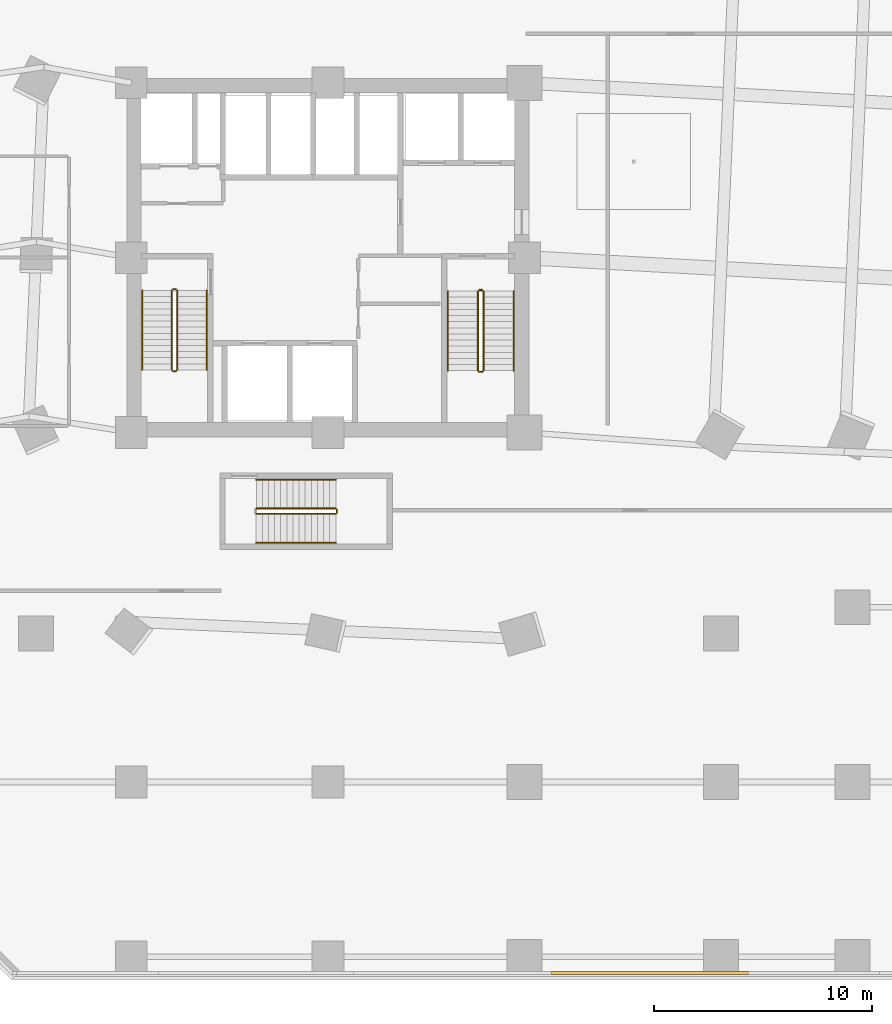
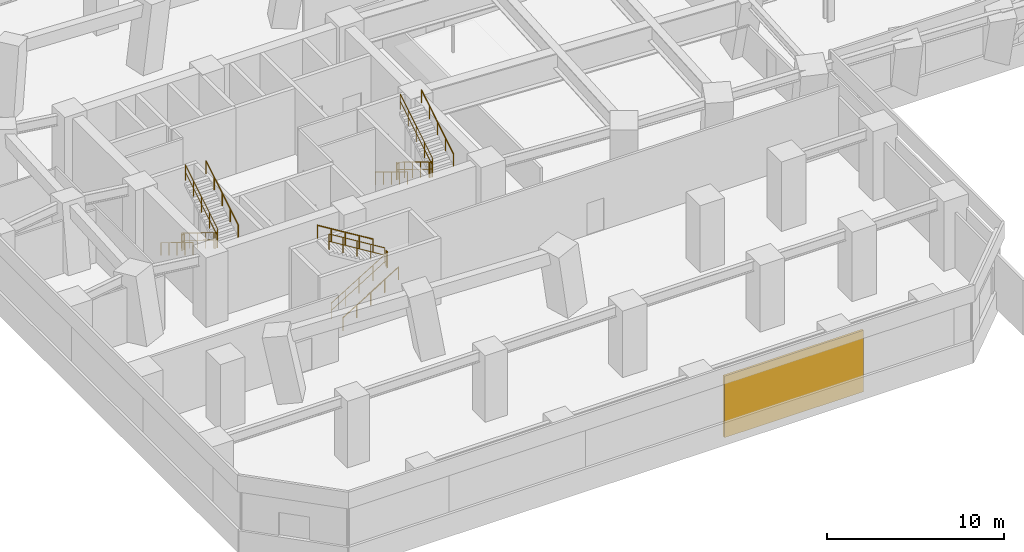
# One storey, part 11 of 14: 17 railings, 1 covering.
"""IFC4 building model written with IfcOpenShell, lengths in metres."""

from ifc_helpers import new_model, si_unit, direction, frame, origin, origin_2d, place, context, subcontext, project, spatial, rectangle, circle, extrude, source, transform, mapped, material, layer, layer_set, type_object, element, save


model = new_model("IFC4")

# Units and contexts
model_context = context("Model", 3, precision=1e-05, world=origin(), true_north=direction((0.0, 1.0)))
body_context = subcontext(model_context, "Body", "Model", "MODEL_VIEW")
ifc_project = project(units=[si_unit("LENGTHUNIT", "METRE"), si_unit("AREAUNIT", "SQUARE_METRE"), si_unit("VOLUMEUNIT", "CUBIC_METRE"), si_unit("PLANEANGLEUNIT", "RADIAN"), si_unit("MASSUNIT", "GRAM", prefix="KILO")], contexts=[model_context])

# Site, building, storey
site_placement = place(None, origin())
site = spatial("IfcSite", under=ifc_project, at=site_placement, CompositionType="ELEMENT")
building_placement = place(site_placement, origin())
building = spatial("IfcBuilding", under=site, at=building_placement, Name="Torre Montelarca", CompositionType="ELEMENT")
storey_placement = place(building_placement, frame((0.0, 0.0, 28.0)))
storey = spatial("IfcBuildingStorey", under=building, at=storey_placement, Name="L06", CompositionType="ELEMENT", Elevation=28.0)

# Railings
ifc_material_1 = material(Name="Powder-coated steel ASTM A500 Grade C", Category="steel")
railing_type_1 = type_object("IfcRailingType", Name="RL-GUARD-1100", PredefinedType="BALUSTRADE", material=ifc_material_1)
railing_1_placement = place(storey_placement, frame((10.85009765625, 30.5, 0.17138671875)))
element("IfcRailing", 1, at=railing_1_placement, inside=storey, type_object=railing_type_1, Name="L06 ST1 stair guard 1", PredefinedType="BALUSTRADE", context=body_context, shape_type="SweptSolid", body=[
    extrude(circle(Radius=0.02392578125, at=origin_2d()), frame((0.0, 0.0, 1.076171875), z_axis=(0.0, -0.852850264322, 0.5221555579), x_axis=(1.0, 0.0, 0.0)), (0.0, 0.0, 1.0), 4.267822265625),
    extrude(circle(Radius=0.02099609375, at=origin_2d()), frame((0.0, 0.0, 0.572021484375), z_axis=(0.0, -0.852850264322, 0.5221555579), x_axis=(1.0, 0.0, 0.0)), (0.0, 0.0, 1.0), 4.267822265625),
    extrude(circle(Radius=0.02099609375, at=origin_2d()), origin(), (0.0, 0.0, 1.0), 1.052001953125),
    extrude(circle(Radius=0.02099609375, at=origin_2d()), frame((0.0, -0.909912109375, 0.55712890625)), (0.0, 0.0, 1.0), 1.052001953125),
    extrude(circle(Radius=0.02099609375, at=origin_2d()), frame((0.0, -1.81982421875, 1.1142578125)), (0.0, 0.0, 1.0), 1.052001953125),
    extrude(circle(Radius=0.02099609375, at=origin_2d()), frame((0.0, -2.72998046875, 1.67138671875)), (0.0, 0.0, 1.0), 1.052001953125),
    extrude(circle(Radius=0.02099609375, at=origin_2d()), frame((0.0, -3.639892578125, 2.228515625)), (0.0, 0.0, 1.0), 1.052001953125),
])
railing_2_placement = place(storey_placement, frame((10.89990234375, 26.81005859375, 2.39990234375)))
element("IfcRailing", 2, at=railing_2_placement, inside=storey, type_object=railing_type_1, Name="L06 ST1 stair guard 2", PredefinedType="BALUSTRADE", context=body_context, shape_type="SweptSolid", body=[
    extrude(circle(Radius=0.02392578125, at=origin_2d()), frame((0.0, 0.0, 1.076171875), z_axis=(1.0, 0.0, 0.0), x_axis=(0.0, 1.0, 0.0)), (0.0, 0.0, 1.0), 0.150146484375),
    extrude(circle(Radius=0.02099609375, at=origin_2d()), frame((0.0, 0.0, 0.572021484375), z_axis=(1.0, 0.0, 0.0), x_axis=(0.0, 1.0, 0.0)), (0.0, 0.0, 1.0), 0.150146484375),
    extrude(circle(Radius=0.02099609375, at=origin_2d()), origin(), (0.0, 0.0, 1.0), 1.052001953125),
    extrude(circle(Radius=0.02099609375, at=origin_2d()), frame((0.150146484375, 0.0, 0.0)), (0.0, 0.0, 1.0), 1.052001953125),
])
railing_3_placement = place(storey_placement, frame((11.10009765625, 26.860107421875, 2.571533203125)))
element("IfcRailing", 3, at=railing_3_placement, inside=storey, type_object=railing_type_1, Name="L06 ST1 stair guard 3", PredefinedType="BALUSTRADE", context=body_context, shape_type="SweptSolid", body=[
    extrude(circle(Radius=0.02392578125, at=origin_2d()), frame((0.0, 0.0, 1.076171875), z_axis=(0.0, 0.852850264322, 0.5221555579), x_axis=(-1.0, 0.0, 0.0)), (0.0, 0.0, 1.0), 4.267822265625),
    extrude(circle(Radius=0.02099609375, at=origin_2d()), frame((0.0, 0.0, 0.572021484375), z_axis=(0.0, 0.852850264322, 0.5221555579), x_axis=(-1.0, 0.0, 0.0)), (0.0, 0.0, 1.0), 4.267822265625),
    extrude(circle(Radius=0.02099609375, at=origin_2d()), origin(), (0.0, 0.0, 1.0), 1.052001953125),
    extrude(circle(Radius=0.02099609375, at=origin_2d()), frame((0.0, 0.909912109375, 0.55712890625)), (0.0, 0.0, 1.0), 1.052001953125),
    extrude(circle(Radius=0.02099609375, at=origin_2d()), frame((0.0, 1.81982421875, 1.1142578125)), (0.0, 0.0, 1.0), 1.052001953125),
    extrude(circle(Radius=0.02099609375, at=origin_2d()), frame((0.0, 2.72998046875, 1.67138671875)), (0.0, 0.0, 1.0), 1.052001953125),
    extrude(circle(Radius=0.02099609375, at=origin_2d()), frame((0.0, 3.639892578125, 2.228515625)), (0.0, 0.0, 1.0), 1.052001953125),
])
railing_4_placement = place(storey_placement, frame((10.89990234375, 30.550048828125, 0.0)))
element("IfcRailing", 4, at=railing_4_placement, inside=storey, type_object=railing_type_1, Name="L06 ST1 stair guard 4", PredefinedType="BALUSTRADE", context=body_context, shape_type="SweptSolid", body=[
    extrude(circle(Radius=0.02392578125, at=origin_2d()), frame((0.0, 0.0, 1.076171875), z_axis=(1.0, 0.0, 0.0), x_axis=(0.0, 1.0, 0.0)), (0.0, 0.0, 1.0), 0.150146484375),
    extrude(circle(Radius=0.02099609375, at=origin_2d()), frame((0.0, 0.0, 0.572021484375), z_axis=(1.0, 0.0, 0.0), x_axis=(0.0, 1.0, 0.0)), (0.0, 0.0, 1.0), 0.150146484375),
    extrude(circle(Radius=0.02099609375, at=origin_2d()), origin(), (0.0, 0.0, 1.0), 1.052001953125),
    extrude(circle(Radius=0.02099609375, at=origin_2d()), frame((0.150146484375, 0.0, 0.0)), (0.0, 0.0, 1.0), 1.052001953125),
])
railing_5_placement = place(storey_placement, frame((24.8701171875, 30.469970703125, 0.17138671875)))
element("IfcRailing", 5, at=railing_5_placement, inside=storey, type_object=railing_type_1, Name="L06 ST2 stair guard 1", PredefinedType="BALUSTRADE", context=body_context, shape_type="SweptSolid", body=[
    extrude(circle(Radius=0.02392578125, at=origin_2d()), frame((0.0, 0.0, 1.076171875), z_axis=(0.0, -0.852850264322, 0.5221555579), x_axis=(1.0, 0.0, 0.0)), (0.0, 0.0, 1.0), 4.267822265625),
    extrude(circle(Radius=0.02099609375, at=origin_2d()), frame((0.0, 0.0, 0.572021484375), z_axis=(0.0, -0.852850264322, 0.5221555579), x_axis=(1.0, 0.0, 0.0)), (0.0, 0.0, 1.0), 4.267822265625),
    extrude(circle(Radius=0.02099609375, at=origin_2d()), origin(), (0.0, 0.0, 1.0), 1.052001953125),
    extrude(circle(Radius=0.02099609375, at=origin_2d()), frame((0.0, -0.909912109375, 0.55712890625)), (0.0, 0.0, 1.0), 1.052001953125),
    extrude(circle(Radius=0.02099609375, at=origin_2d()), frame((0.0, -1.81982421875, 1.1142578125)), (0.0, 0.0, 1.0), 1.052001953125),
    extrude(circle(Radius=0.02099609375, at=origin_2d()), frame((0.0, -2.72998046875, 1.67138671875)), (0.0, 0.0, 1.0), 1.052001953125),
    extrude(circle(Radius=0.02099609375, at=origin_2d()), frame((0.0, -3.639892578125, 2.228515625)), (0.0, 0.0, 1.0), 1.052001953125),
])
railing_6_placement = place(storey_placement, frame((24.919921875, 26.780029296875, 2.39990234375)))
element("IfcRailing", 6, at=railing_6_placement, inside=storey, type_object=railing_type_1, Name="L06 ST2 stair guard 2", PredefinedType="BALUSTRADE", context=body_context, shape_type="SweptSolid", body=[
    extrude(circle(Radius=0.02392578125, at=origin_2d()), frame((0.0, 0.0, 1.076171875), z_axis=(1.0, 0.0, 0.0), x_axis=(0.0, 1.0, 0.0)), (0.0, 0.0, 1.0), 0.150146484375),
    extrude(circle(Radius=0.02099609375, at=origin_2d()), frame((0.0, 0.0, 0.572021484375), z_axis=(1.0, 0.0, 0.0), x_axis=(0.0, 1.0, 0.0)), (0.0, 0.0, 1.0), 0.150146484375),
    extrude(circle(Radius=0.02099609375, at=origin_2d()), origin(), (0.0, 0.0, 1.0), 1.052001953125),
    extrude(circle(Radius=0.02099609375, at=origin_2d()), frame((0.150146484375, 0.0, 0.0)), (0.0, 0.0, 1.0), 1.052001953125),
])
railing_7_placement = place(storey_placement, frame((25.1201171875, 26.830078125, 2.571533203125)))
element("IfcRailing", 7, at=railing_7_placement, inside=storey, type_object=railing_type_1, Name="L06 ST2 stair guard 3", PredefinedType="BALUSTRADE", context=body_context, shape_type="SweptSolid", body=[
    extrude(circle(Radius=0.02392578125, at=origin_2d()), frame((0.0, 0.0, 1.076171875), z_axis=(0.0, 0.852850264322, 0.5221555579), x_axis=(-1.0, 0.0, 0.0)), (0.0, 0.0, 1.0), 4.267822265625),
    extrude(circle(Radius=0.02099609375, at=origin_2d()), frame((0.0, 0.0, 0.572021484375), z_axis=(0.0, 0.852850264322, 0.5221555579), x_axis=(-1.0, 0.0, 0.0)), (0.0, 0.0, 1.0), 4.267822265625),
    extrude(circle(Radius=0.02099609375, at=origin_2d()), origin(), (0.0, 0.0, 1.0), 1.052001953125),
    extrude(circle(Radius=0.02099609375, at=origin_2d()), frame((0.0, 0.909912109375, 0.55712890625)), (0.0, 0.0, 1.0), 1.052001953125),
    extrude(circle(Radius=0.02099609375, at=origin_2d()), frame((0.0, 1.81982421875, 1.1142578125)), (0.0, 0.0, 1.0), 1.052001953125),
    extrude(circle(Radius=0.02099609375, at=origin_2d()), frame((0.0, 2.72998046875, 1.67138671875)), (0.0, 0.0, 1.0), 1.052001953125),
    extrude(circle(Radius=0.02099609375, at=origin_2d()), frame((0.0, 3.639892578125, 2.228515625)), (0.0, 0.0, 1.0), 1.052001953125),
])
railing_8_placement = place(storey_placement, frame((24.919921875, 30.52001953125, 0.0)))
element("IfcRailing", 8, at=railing_8_placement, inside=storey, type_object=railing_type_1, Name="L06 ST2 stair guard 4", PredefinedType="BALUSTRADE", context=body_context, shape_type="SweptSolid", body=[
    extrude(circle(Radius=0.02392578125, at=origin_2d()), frame((0.0, 0.0, 1.076171875), z_axis=(1.0, 0.0, 0.0), x_axis=(0.0, 1.0, 0.0)), (0.0, 0.0, 1.0), 0.150146484375),
    extrude(circle(Radius=0.02099609375, at=origin_2d()), frame((0.0, 0.0, 0.572021484375), z_axis=(1.0, 0.0, 0.0), x_axis=(0.0, 1.0, 0.0)), (0.0, 0.0, 1.0), 0.150146484375),
    extrude(circle(Radius=0.02099609375, at=origin_2d()), origin(), (0.0, 0.0, 1.0), 1.052001953125),
    extrude(circle(Radius=0.02099609375, at=origin_2d()), frame((0.150146484375, 0.0, 0.0)), (0.0, 0.0, 1.0), 1.052001953125),
])
railing_9_placement = place(storey_placement, frame((14.719970703125, 20.27001953125, 0.17138671875)))
element("IfcRailing", 9, at=railing_9_placement, inside=storey, type_object=railing_type_1, Name="L06 ST3 stair guard 1", PredefinedType="BALUSTRADE", context=body_context, shape_type="SweptSolid", body=[
    extrude(circle(Radius=0.02392578125, at=origin_2d()), frame((0.0, 0.0, 1.076171875), z_axis=(0.852865859571, 0.0, 0.52213008492), x_axis=(0.0, 1.0, 0.0)), (0.0, 0.0, 1.0), 4.26806640625),
    extrude(circle(Radius=0.02099609375, at=origin_2d()), frame((0.0, 0.0, 0.572021484375), z_axis=(0.852865859571, 0.0, 0.52213008492), x_axis=(0.0, 1.0, 0.0)), (0.0, 0.0, 1.0), 4.26806640625),
    extrude(circle(Radius=0.02099609375, at=origin_2d()), origin(), (0.0, 0.0, 1.0), 1.052001953125),
    extrude(circle(Radius=0.02099609375, at=origin_2d()), frame((0.91015625, 0.0, 0.55712890625)), (0.0, 0.0, 1.0), 1.052001953125),
    extrude(circle(Radius=0.02099609375, at=origin_2d()), frame((1.820068359375, 0.0, 1.1142578125)), (0.0, 0.0, 1.0), 1.052001953125),
    extrude(circle(Radius=0.02099609375, at=origin_2d()), frame((2.72998046875, 0.0, 1.67138671875)), (0.0, 0.0, 1.0), 1.052001953125),
    extrude(circle(Radius=0.02099609375, at=origin_2d()), frame((3.64013671875, 0.0, 2.228515625)), (0.0, 0.0, 1.0), 1.052001953125),
])
railing_10_placement = place(storey_placement, frame((18.409912109375, 20.320068359375, 2.39990234375)))
element("IfcRailing", 10, at=railing_10_placement, inside=storey, type_object=railing_type_1, Name="L06 ST3 stair guard 2", PredefinedType="BALUSTRADE", context=body_context, shape_type="SweptSolid", body=[
    extrude(circle(Radius=0.02392578125, at=origin_2d()), frame((0.0, 0.0, 1.076171875), z_axis=(0.0, 1.0, 0.0), x_axis=(-1.0, 0.0, 0.0)), (0.0, 0.0, 1.0), 0.14990234375),
    extrude(circle(Radius=0.02099609375, at=origin_2d()), frame((0.0, 0.0, 0.572021484375), z_axis=(0.0, 1.0, 0.0), x_axis=(-1.0, 0.0, 0.0)), (0.0, 0.0, 1.0), 0.14990234375),
    extrude(circle(Radius=0.02099609375, at=origin_2d()), origin(), (0.0, 0.0, 1.0), 1.052001953125),
    extrude(circle(Radius=0.02099609375, at=origin_2d()), frame((0.0, 0.14990234375, 0.0)), (0.0, 0.0, 1.0), 1.052001953125),
])
railing_11_placement = place(storey_placement, frame((18.360107421875, 20.52001953125, 2.571533203125)))
element("IfcRailing", 11, at=railing_11_placement, inside=storey, type_object=railing_type_1, Name="L06 ST3 stair guard 3", PredefinedType="BALUSTRADE", context=body_context, shape_type="SweptSolid", body=[
    extrude(circle(Radius=0.02392578125, at=origin_2d()), frame((0.0, 0.0, 1.076171875), z_axis=(-0.852865859571, 0.0, 0.52213008492), x_axis=(0.0, -1.0, 0.0)), (0.0, 0.0, 1.0), 4.26806640625),
    extrude(circle(Radius=0.02099609375, at=origin_2d()), frame((0.0, 0.0, 0.572021484375), z_axis=(-0.852865859571, 0.0, 0.52213008492), x_axis=(0.0, -1.0, 0.0)), (0.0, 0.0, 1.0), 4.26806640625),
    extrude(circle(Radius=0.02099609375, at=origin_2d()), origin(), (0.0, 0.0, 1.0), 1.052001953125),
    extrude(circle(Radius=0.02099609375, at=origin_2d()), frame((-0.91015625, 0.0, 0.55712890625)), (0.0, 0.0, 1.0), 1.052001953125),
    extrude(circle(Radius=0.02099609375, at=origin_2d()), frame((-1.820068359375, 0.0, 1.1142578125)), (0.0, 0.0, 1.0), 1.052001953125),
    extrude(circle(Radius=0.02099609375, at=origin_2d()), frame((-2.72998046875, 0.0, 1.67138671875)), (0.0, 0.0, 1.0), 1.052001953125),
    extrude(circle(Radius=0.02099609375, at=origin_2d()), frame((-3.64013671875, 0.0, 2.228515625)), (0.0, 0.0, 1.0), 1.052001953125),
])
ifc_material_2 = material(Name="Brushed stainless steel AISI 316", Category="steel")
railing_type_2 = type_object("IfcRailingType", Name="RL-HANDRAIL-900", PredefinedType="HANDRAIL", material=ifc_material_2)
railing_12_placement = place(storey_placement, frame((9.5, 30.5, 0.17138671875)))
element("IfcRailing", 12, at=railing_12_placement, inside=storey, type_object=railing_type_2, Name="L06 ST1 stair handrail 1", PredefinedType="HANDRAIL", context=body_context, shape_type="SweptSolid", body=[
    extrude(circle(Radius=0.02392578125, at=origin_2d()), frame((0.0, 0.0, 0.8759765625), z_axis=(0.0, -0.852850264322, 0.5221555579), x_axis=(1.0, 0.0, 0.0)), (0.0, 0.0, 1.0), 4.267822265625),
    extrude(circle(Radius=0.02099609375, at=origin_2d()), origin(), (0.0, 0.0, 1.0), 0.851806640625),
    extrude(circle(Radius=0.02099609375, at=origin_2d()), frame((0.0, -0.909912109375, 0.55712890625)), (0.0, 0.0, 1.0), 0.851806640625),
    extrude(circle(Radius=0.02099609375, at=origin_2d()), frame((0.0, -1.81982421875, 1.1142578125)), (0.0, 0.0, 1.0), 0.851806640625),
    extrude(circle(Radius=0.02099609375, at=origin_2d()), frame((0.0, -2.72998046875, 1.67138671875)), (0.0, 0.0, 1.0), 0.851806640625),
    extrude(circle(Radius=0.02099609375, at=origin_2d()), frame((0.0, -3.639892578125, 2.228515625)), (0.0, 0.0, 1.0), 0.851806640625),
])
railing_13_placement = place(storey_placement, frame((12.449951171875, 26.860107421875, 2.571533203125)))
element("IfcRailing", 13, at=railing_13_placement, inside=storey, type_object=railing_type_2, Name="L06 ST1 stair handrail 2", PredefinedType="HANDRAIL", context=body_context, shape_type="SweptSolid", body=[
    extrude(circle(Radius=0.02392578125, at=origin_2d()), frame((0.0, 0.0, 0.8759765625), z_axis=(0.0, 0.852850264322, 0.5221555579), x_axis=(-1.0, 0.0, 0.0)), (0.0, 0.0, 1.0), 4.267822265625),
    extrude(circle(Radius=0.02099609375, at=origin_2d()), origin(), (0.0, 0.0, 1.0), 0.851806640625),
    extrude(circle(Radius=0.02099609375, at=origin_2d()), frame((0.0, 0.909912109375, 0.55712890625)), (0.0, 0.0, 1.0), 0.851806640625),
    extrude(circle(Radius=0.02099609375, at=origin_2d()), frame((0.0, 1.81982421875, 1.1142578125)), (0.0, 0.0, 1.0), 0.851806640625),
    extrude(circle(Radius=0.02099609375, at=origin_2d()), frame((0.0, 2.72998046875, 1.67138671875)), (0.0, 0.0, 1.0), 0.851806640625),
    extrude(circle(Radius=0.02099609375, at=origin_2d()), frame((0.0, 3.639892578125, 2.228515625)), (0.0, 0.0, 1.0), 0.851806640625),
])
railing_14_placement = place(storey_placement, frame((23.489990234375, 30.469970703125, 0.17138671875)))
element("IfcRailing", 14, at=railing_14_placement, inside=storey, type_object=railing_type_2, Name="L06 ST2 stair handrail 1", PredefinedType="HANDRAIL", context=body_context, shape_type="SweptSolid", body=[
    extrude(circle(Radius=0.02392578125, at=origin_2d()), frame((0.0, 0.0, 0.8759765625), z_axis=(0.0, -0.852850264322, 0.5221555579), x_axis=(1.0, 0.0, 0.0)), (0.0, 0.0, 1.0), 4.267822265625),
    extrude(circle(Radius=0.02099609375, at=origin_2d()), origin(), (0.0, 0.0, 1.0), 0.851806640625),
    extrude(circle(Radius=0.02099609375, at=origin_2d()), frame((0.0, -0.909912109375, 0.55712890625)), (0.0, 0.0, 1.0), 0.851806640625),
    extrude(circle(Radius=0.02099609375, at=origin_2d()), frame((0.0, -1.81982421875, 1.1142578125)), (0.0, 0.0, 1.0), 0.851806640625),
    extrude(circle(Radius=0.02099609375, at=origin_2d()), frame((0.0, -2.72998046875, 1.67138671875)), (0.0, 0.0, 1.0), 0.851806640625),
    extrude(circle(Radius=0.02099609375, at=origin_2d()), frame((0.0, -3.639892578125, 2.228515625)), (0.0, 0.0, 1.0), 0.851806640625),
])
railing_15_placement = place(storey_placement, frame((26.5, 26.830078125, 2.571533203125)))
element("IfcRailing", 15, at=railing_15_placement, inside=storey, type_object=railing_type_2, Name="L06 ST2 stair handrail 2", PredefinedType="HANDRAIL", context=body_context, shape_type="SweptSolid", body=[
    extrude(circle(Radius=0.02392578125, at=origin_2d()), frame((0.0, 0.0, 0.8759765625), z_axis=(0.0, 0.852850264322, 0.5221555579), x_axis=(-1.0, 0.0, 0.0)), (0.0, 0.0, 1.0), 4.267822265625),
    extrude(circle(Radius=0.02099609375, at=origin_2d()), origin(), (0.0, 0.0, 1.0), 0.851806640625),
    extrude(circle(Radius=0.02099609375, at=origin_2d()), frame((0.0, 0.909912109375, 0.55712890625)), (0.0, 0.0, 1.0), 0.851806640625),
    extrude(circle(Radius=0.02099609375, at=origin_2d()), frame((0.0, 1.81982421875, 1.1142578125)), (0.0, 0.0, 1.0), 0.851806640625),
    extrude(circle(Radius=0.02099609375, at=origin_2d()), frame((0.0, 2.72998046875, 1.67138671875)), (0.0, 0.0, 1.0), 0.851806640625),
    extrude(circle(Radius=0.02099609375, at=origin_2d()), frame((0.0, 3.639892578125, 2.228515625)), (0.0, 0.0, 1.0), 0.851806640625),
])
railing_16_placement = place(storey_placement, frame((14.719970703125, 18.949951171875, 0.17138671875)))
element("IfcRailing", 16, at=railing_16_placement, inside=storey, type_object=railing_type_2, Name="L06 ST3 stair handrail 1", PredefinedType="HANDRAIL", context=body_context, shape_type="SweptSolid", body=[
    extrude(circle(Radius=0.02392578125, at=origin_2d()), frame((0.0, 0.0, 0.8759765625), z_axis=(0.852865859571, 0.0, 0.52213008492), x_axis=(0.0, 1.0, 0.0)), (0.0, 0.0, 1.0), 4.26806640625),
    extrude(circle(Radius=0.02099609375, at=origin_2d()), origin(), (0.0, 0.0, 1.0), 0.851806640625),
    extrude(circle(Radius=0.02099609375, at=origin_2d()), frame((0.91015625, 0.0, 0.55712890625)), (0.0, 0.0, 1.0), 0.851806640625),
    extrude(circle(Radius=0.02099609375, at=origin_2d()), frame((1.820068359375, 0.0, 1.1142578125)), (0.0, 0.0, 1.0), 0.851806640625),
    extrude(circle(Radius=0.02099609375, at=origin_2d()), frame((2.72998046875, 0.0, 1.67138671875)), (0.0, 0.0, 1.0), 0.851806640625),
    extrude(circle(Radius=0.02099609375, at=origin_2d()), frame((3.64013671875, 0.0, 2.228515625)), (0.0, 0.0, 1.0), 0.851806640625),
])
railing_17_placement = place(storey_placement, frame((18.360107421875, 21.840087890625, 2.571533203125)))
element("IfcRailing", 17, at=railing_17_placement, inside=storey, type_object=railing_type_2, Name="L06 ST3 stair handrail 2", PredefinedType="HANDRAIL", context=body_context, shape_type="SweptSolid", body=[
    extrude(circle(Radius=0.02392578125, at=origin_2d()), frame((0.0, 0.0, 0.8759765625), z_axis=(-0.852865859571, 0.0, 0.52213008492), x_axis=(0.0, -1.0, 0.0)), (0.0, 0.0, 1.0), 4.26806640625),
    extrude(circle(Radius=0.02099609375, at=origin_2d()), origin(), (0.0, 0.0, 1.0), 0.851806640625),
    extrude(circle(Radius=0.02099609375, at=origin_2d()), frame((-0.91015625, 0.0, 0.55712890625)), (0.0, 0.0, 1.0), 0.851806640625),
    extrude(circle(Radius=0.02099609375, at=origin_2d()), frame((-1.820068359375, 0.0, 1.1142578125)), (0.0, 0.0, 1.0), 0.851806640625),
    extrude(circle(Radius=0.02099609375, at=origin_2d()), frame((-2.72998046875, 0.0, 1.67138671875)), (0.0, 0.0, 1.0), 0.851806640625),
    extrude(circle(Radius=0.02099609375, at=origin_2d()), frame((-3.64013671875, 0.0, 2.228515625)), (0.0, 0.0, 1.0), 0.851806640625),
])

# Covering
ifc_material_3 = material(Name="Bush-hammered warm white precast concrete C45/55", Category="concrete")
ifc_layer = layer(ifc_material_3, 0.139892578125, Name="Bush-hammered warm white precast concrete C45/55", Category="concrete")
ifc_layer_set = layer_set([ifc_layer], Name="Bush-hammered warm white precast concrete C45/55")
covering_type = type_object("IfcCoveringType", Name="COV-TRAY-CLAD", PredefinedType="CLADDING", material=ifc_layer_set)
shared_shape = source(origin(), body_context, "Body", "SweptSolid", [
    extrude(rectangle(XDim=9.080078125, YDim=0.139892578125, at=origin_2d()), origin(), (0.0, 0.0, 1.0), 4.25),
])
covering_placement = place(storey_placement, frame((32.780029296875, -0.739990234375, 0.0), z_axis=(0.0, 0.0, 1.0), x_axis=(1.0, 0.0, 0.0)))
element("IfcCovering", 18, at=covering_placement, inside=storey, type_object=covering_type, Name="L06 Architectural Column Pier Cladding E01-5", PredefinedType="CLADDING", context=body_context, shape_type="MappedRepresentation", body=[
    mapped(shared_shape, transform((0.0, 0.0, 0.0), scale=1.0)),
])

save(model, "model.ifc")
